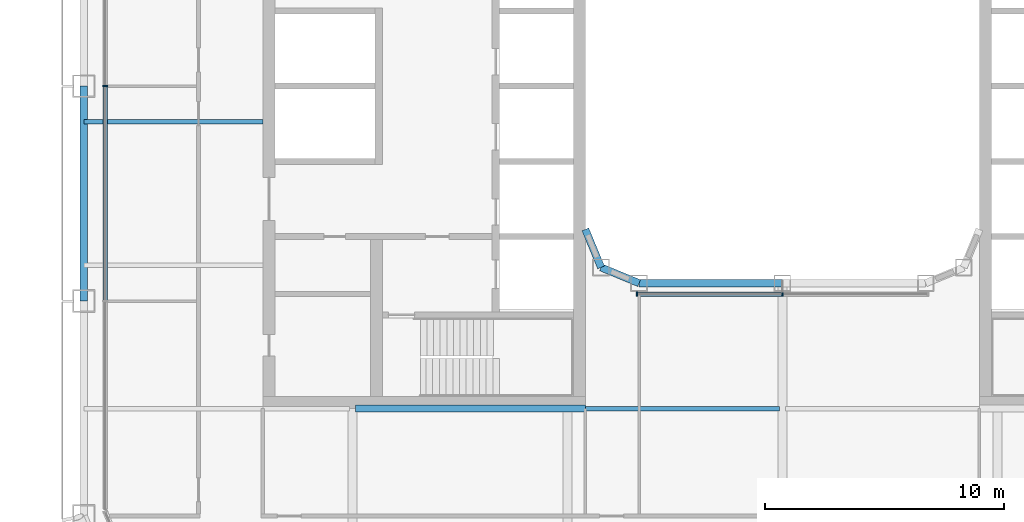
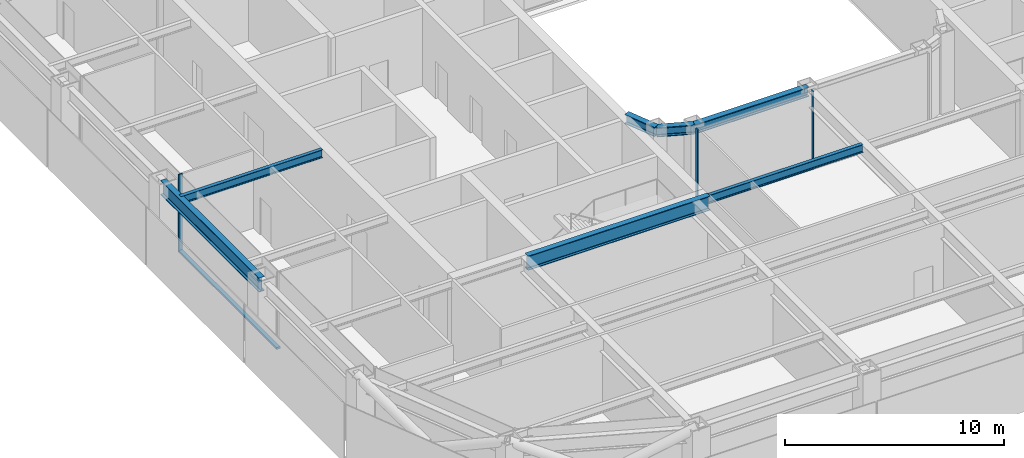
# One storey, part 3 of 23: 7 beams, 5 members, 2 elements without a shape of their own.
"""IFC4 building model written with IfcOpenShell, lengths in metres."""

from ifc_helpers import new_model, si_unit, direction, frame, origin, origin_2d, place, context, subcontext, project, spatial, rectangle, i_section, extrude, material, layer, layer_set, material_profile, profile_set, type_object, element, aggregate, save


model = new_model("IFC4")

# Units and contexts
model_context = context("Model", 3, precision=1e-05, world=origin(), true_north=direction((0.0, 1.0)))
body_context = subcontext(model_context, "Body", "Model", "MODEL_VIEW")
ifc_project = project(units=[si_unit("LENGTHUNIT", "METRE"), si_unit("AREAUNIT", "SQUARE_METRE"), si_unit("VOLUMEUNIT", "CUBIC_METRE"), si_unit("PLANEANGLEUNIT", "RADIAN"), si_unit("MASSUNIT", "GRAM", prefix="KILO")], contexts=[model_context])

# Site, building, storey
site_placement = place(None, origin())
site = spatial("IfcSite", under=ifc_project, at=site_placement, CompositionType="ELEMENT")
building_placement = place(site_placement, origin())
building = spatial("IfcBuilding", under=site, at=building_placement, Name="Siwar Civic Tower", CompositionType="ELEMENT")
storey_placement = place(building_placement, frame((0.0, 0.0, 118.199951171875)))
storey = spatial("IfcBuildingStorey", under=building, at=storey_placement, Name="L25", CompositionType="ELEMENT", Elevation=118.199951171875)

# Curtain wall, member
ifc_material_1 = material(Name="Aluminium and glass", Category="aluminium")
ifc_layer_1 = layer(ifc_material_1, 0.199951171875)
ifc_layer_set_1 = layer_set([ifc_layer_1], Name="Aluminium and glass")
curtain_wall_type_1 = type_object("IfcCurtainWallType", Name="ENV-CW-B", PredefinedType="NOTDEFINED", material=ifc_layer_set_1)
curtain_wall_1_placement = place(storey_placement, origin())
curtain_wall_1 = element("IfcCurtainWall", 1, at=curtain_wall_1_placement, inside=storey, type_object=curtain_wall_type_1, Name="Curtain wall B W", PredefinedType="NOTDEFINED")
ifc_material_2 = material(Name="Aluminium 6063-T6", Category="aluminium")
ifc_material_profile_1 = material_profile(ifc_material_2, rectangle(XDim=0.199951171875, YDim=0.06494140625, at=origin_2d()), Name="AL 200x65")
ifc_profile_set_1 = profile_set([ifc_material_profile_1], Name="Aluminium 6063-T6")
member_type_1 = type_object("IfcMemberType", Name="ENV-MULLION-B", PredefinedType="MULLION", material=ifc_profile_set_1)
member_1_placement = place(storey_placement, frame((-28.35009765625, 0.0, 0.0), z_axis=(0.0, 0.0, 1.0), x_axis=(1.0, 0.0, 0.0)))
member_1 = element("IfcMember", 2, at=member_1_placement, type_object=member_type_1, Name="Mullion B W 3", PredefinedType="MULLION", context=body_context, shape_type="SweptSolid", body=[
    extrude(rectangle(XDim=0.199951171875, YDim=0.06494140625, at=origin_2d()), origin(), (0.0, 0.0, 1.0), 4.35009765625),
])

# Curtain wall, members
ifc_material_3 = material(Name="Aluminium and glass", Category="aluminium")
ifc_layer_2 = layer(ifc_material_3, 0.179931640625)
ifc_layer_set_2 = layer_set([ifc_layer_2], Name="Aluminium and glass")
curtain_wall_type_2 = type_object("IfcCurtainWallType", Name="ENV-CW-W", PredefinedType="NOTDEFINED", material=ifc_layer_set_2)
curtain_wall_2_placement = place(storey_placement, origin())
curtain_wall_2 = element("IfcCurtainWall", 3, at=curtain_wall_2_placement, inside=storey, type_object=curtain_wall_type_2, Name="Curtain wall W WS", PredefinedType="NOTDEFINED")
ifc_material_4 = material(Name="Aluminium 6063-T6", Category="aluminium")
ifc_material_profile_2 = material_profile(ifc_material_4, rectangle(XDim=0.179931640625, YDim=0.06005859375, at=origin_2d()), Name="AL 180x60")
ifc_profile_set_2 = profile_set([ifc_material_profile_2], Name="Aluminium 6063-T6")
member_type_2 = type_object("IfcMemberType", Name="ENV-MULLION-W", PredefinedType="MULLION", material=ifc_profile_set_2)
member_2_placement = place(storey_placement, frame((-6.091552734375, -8.7099609375, 0.0), z_axis=(0.0, 0.0, 1.0), x_axis=(0.0, 1.0, 0.0)))
member_2 = element("IfcMember", 4, at=member_2_placement, type_object=member_type_2, Name="Mullion W WS 1", PredefinedType="MULLION", context=body_context, shape_type="SweptSolid", body=[
    extrude(rectangle(XDim=0.179931640625, YDim=0.06005859375, at=origin_2d()), origin(), (0.0, 0.0, 1.0), 4.35009765625),
])
member_3_placement = place(storey_placement, frame((0.0, -8.7099609375, 0.0), z_axis=(0.0, 0.0, 1.0), x_axis=(0.0, 1.0, 0.0)))
member_3 = element("IfcMember", 5, at=member_3_placement, type_object=member_type_2, Name="Mullion W WS 2", PredefinedType="MULLION", context=body_context, shape_type="SweptSolid", body=[
    extrude(rectangle(XDim=0.179931640625, YDim=0.06005859375, at=origin_2d()), origin(), (0.0, 0.0, 1.0), 4.35009765625),
])

# Member
ifc_material_5 = material(Name="Aluminium 6063-T6", Category="aluminium")
ifc_material_profile_3 = material_profile(ifc_material_5, rectangle(XDim=0.199951171875, YDim=0.110107421875, at=origin_2d()), Name="AL 200x110")
ifc_profile_set_3 = profile_set([ifc_material_profile_3], Name="Aluminium 6063-T6")
member_type_3 = type_object("IfcMemberType", Name="ENV-TRANSOM-B", PredefinedType="USERDEFINED", material=ifc_profile_set_3)
member_4_placement = place(storey_placement, frame((-28.35009765625, -0.032470703125, 0.054931640625), z_axis=(0.0, -1.0, 0.0), x_axis=(1.0, 0.0, 0.0)))
member_4 = element("IfcMember", 6, at=member_4_placement, type_object=member_type_3, Name="Transom B W 3", ObjectType="TRANSOM", PredefinedType="USERDEFINED", context=body_context, shape_type="SweptSolid", body=[
    extrude(rectangle(XDim=0.199951171875, YDim=0.110107421875, at=origin_2d()), origin(), (0.0, 0.0, 1.0), 8.93505859375),
])

aggregate(curtain_wall_1, [member_1, member_4])

ifc_material_6 = material(Name="Aluminium 6063-T6", Category="aluminium")
ifc_material_profile_4 = material_profile(ifc_material_6, rectangle(XDim=0.179931640625, YDim=0.10009765625, at=origin_2d()), Name="AL 180x100")
ifc_profile_set_4 = profile_set([ifc_material_profile_4], Name="Aluminium 6063-T6")
member_type_4 = type_object("IfcMemberType", Name="ENV-TRANSOM-W", PredefinedType="USERDEFINED", material=ifc_profile_set_4)
member_5_placement = place(storey_placement, frame((-6.0615234375, -8.7099609375, 0.050048828125), z_axis=(1.0, 0.0, 0.0), x_axis=(0.0, 1.0, 0.0)))
member_5 = element("IfcMember", 7, at=member_5_placement, type_object=member_type_4, Name="Transom W WS 1", ObjectType="TRANSOM", PredefinedType="USERDEFINED", context=body_context, shape_type="SweptSolid", body=[
    extrude(rectangle(XDim=0.179931640625, YDim=0.10009765625, at=origin_2d()), origin(), (0.0, 0.0, 1.0), 6.031494140625),
])

aggregate(curtain_wall_2, [member_2, member_3, member_5])

# Beams
ifc_material_7 = material(Name="Steel S355", Category="steel")
ifc_material_profile_5 = material_profile(ifc_material_7, i_section(OverallWidth=0.18994140625, OverallDepth=0.449951171875, WebThickness=0.009521484375, FlangeThickness=0.0146484375, FilletRadius=0.02099609375, at=origin_2d()), Name="IPE450")
ifc_profile_set_5 = profile_set([ifc_material_profile_5], Name="Steel S355")
beam_type_1 = type_object("IfcBeamType", Name="STR-FB-IPE450", PredefinedType="JOIST", material=ifc_profile_set_5)
beam_1_placement = place(storey_placement, frame((-8.25, -13.5, 4.125), z_axis=(1.0, 0.0, 0.0), x_axis=(0.0, 1.0, 0.0)))
element("IfcBeam", 8, at=beam_1_placement, inside=storey, type_object=beam_type_1, Name="L25/bm/F016", PredefinedType="JOIST", context=body_context, shape_type="SweptSolid", body=[
    extrude(i_section(OverallWidth=0.18994140625, OverallDepth=0.449951171875, WebThickness=0.009521484375, FlangeThickness=0.0146484375, FilletRadius=0.02099609375, at=origin_2d()), origin(), (0.0, 0.0, 1.0), 8.1201171875),
])
beam_2_placement = place(storey_placement, frame((-29.25, -1.5, 4.125), z_axis=(1.0, 0.0, 0.0), x_axis=(0.0, 1.0, 0.0)))
element("IfcBeam", 9, at=beam_2_placement, inside=storey, type_object=beam_type_1, Name="L25/bm/F023", PredefinedType="JOIST", context=body_context, shape_type="SweptSolid", body=[
    extrude(i_section(OverallWidth=0.18994140625, OverallDepth=0.449951171875, WebThickness=0.009521484375, FlangeThickness=0.0146484375, FilletRadius=0.02099609375, at=origin_2d()), origin(), (0.0, 0.0, 1.0), 7.5),
])
ifc_material_8 = material(Name="Steel S355", Category="steel")
ifc_material_profile_6 = material_profile(ifc_material_8, i_section(OverallWidth=0.300048828125, OverallDepth=0.800048828125, WebThickness=0.017578125, FlangeThickness=0.032958984375, FilletRadius=0.030029296875, at=origin_2d()), Name="HEB800")
ifc_profile_set_6 = profile_set([ifc_material_profile_6], Name="Steel S355")
beam_type_2 = type_object("IfcBeamType", Name="STR-PG-HEB800", PredefinedType="BEAM", material=ifc_profile_set_6)
beam_3_placement = place(storey_placement, frame((-17.8701171875, -13.5, 3.949951171875), z_axis=(1.0, 0.0, 0.0), x_axis=(0.0, 1.0, 0.0)))
element("IfcBeam", 10, at=beam_3_placement, inside=storey, type_object=beam_type_2, Name="L25/bm/F015", PredefinedType="BEAM", context=body_context, shape_type="SweptSolid", body=[
    extrude(i_section(OverallWidth=0.300048828125, OverallDepth=0.800048828125, WebThickness=0.017578125, FlangeThickness=0.032958984375, FilletRadius=0.030029296875, at=origin_2d()), origin(), (0.0, 0.0, 1.0), 9.6201171875),
])
ifc_material_9 = material(Name="Steel S355", Category="steel")
ifc_material_profile_7 = material_profile(ifc_material_9, i_section(OverallWidth=0.305908203125, OverallDepth=0.52392578125, WebThickness=0.02099609375, FlangeThickness=0.0400390625, FilletRadius=0.027099609375, at=origin_2d()), Name="HEM500")
ifc_profile_set_7 = profile_set([ifc_material_profile_7], Name="Steel S355")
beam_type_3 = type_object("IfcBeamType", Name="STR-RB-HEM500", PredefinedType="BEAM", material=ifc_profile_set_7)
beam_4_placement = place(storey_placement, frame((-7.591064453125, -7.591064453125, 4.088134765625), z_axis=(0.923901072997, -0.382631424892, 0.0), x_axis=(0.382631424892, 0.923901072997, 0.0)))
element("IfcBeam", 11, at=beam_4_placement, inside=storey, type_object=beam_type_3, Name="L25/bm/RS0", PredefinedType="BEAM", context=body_context, shape_type="SweptSolid", body=[
    extrude(i_section(OverallWidth=0.305908203125, OverallDepth=0.52392578125, WebThickness=0.02099609375, FlangeThickness=0.0400390625, FilletRadius=0.027099609375, at=origin_2d()), origin(), (0.0, 0.0, 1.0), 1.72216796875),
])
beam_5_placement = place(storey_placement, frame((-6.0, -8.25, 4.088134765625), z_axis=(1.0, 0.0, 0.0), x_axis=(0.0, 1.0, 0.0)))
element("IfcBeam", 12, at=beam_5_placement, inside=storey, type_object=beam_type_3, Name="L25/bm/RS1", PredefinedType="BEAM", context=body_context, shape_type="SweptSolid", body=[
    extrude(i_section(OverallWidth=0.305908203125, OverallDepth=0.52392578125, WebThickness=0.02099609375, FlangeThickness=0.0400390625, FilletRadius=0.027099609375, at=origin_2d()), origin(), (0.0, 0.0, 1.0), 6.0),
])
beam_6_placement = place(storey_placement, frame((-7.591064453125, -7.591064453125, 4.088134765625), z_axis=(-0.382631424892, 0.923901072997, 0.0), x_axis=(-0.923901072997, -0.382631424892, 0.0)))
element("IfcBeam", 13, at=beam_6_placement, inside=storey, type_object=beam_type_3, Name="L25/bm/RSEW", PredefinedType="BEAM", context=body_context, shape_type="SweptSolid", body=[
    extrude(i_section(OverallWidth=0.305908203125, OverallDepth=0.52392578125, WebThickness=0.02099609375, FlangeThickness=0.0400390625, FilletRadius=0.027099609375, at=origin_2d()), origin(), (0.0, 0.0, 1.0), 1.72216796875),
])
ifc_material_10 = material(Name="Steel S355", Category="steel")
ifc_material_profile_8 = material_profile(ifc_material_10, i_section(OverallWidth=0.300048828125, OverallDepth=0.800048828125, WebThickness=0.017578125, FlangeThickness=0.032958984375, FilletRadius=0.030029296875, at=origin_2d()), Name="HEB800")
ifc_profile_set_8 = profile_set([ifc_material_profile_8], Name="Steel S355")
beam_type_4 = type_object("IfcBeamType", Name="STR-SB-HEB800", PredefinedType="BEAM", material=ifc_profile_set_8)
beam_7_placement = place(storey_placement, frame((-29.25, 0.0, 3.949951171875), z_axis=(0.0, -1.0, 0.0), x_axis=(1.0, 0.0, 0.0)))
element("IfcBeam", 14, at=beam_7_placement, inside=storey, type_object=beam_type_4, Name="L25/bm/SW-2", PredefinedType="BEAM", context=body_context, shape_type="SweptSolid", body=[
    extrude(i_section(OverallWidth=0.300048828125, OverallDepth=0.800048828125, WebThickness=0.017578125, FlangeThickness=0.032958984375, FilletRadius=0.030029296875, at=origin_2d()), origin(), (0.0, 0.0, 1.0), 9.0),
])

save(model, "model.ifc")
